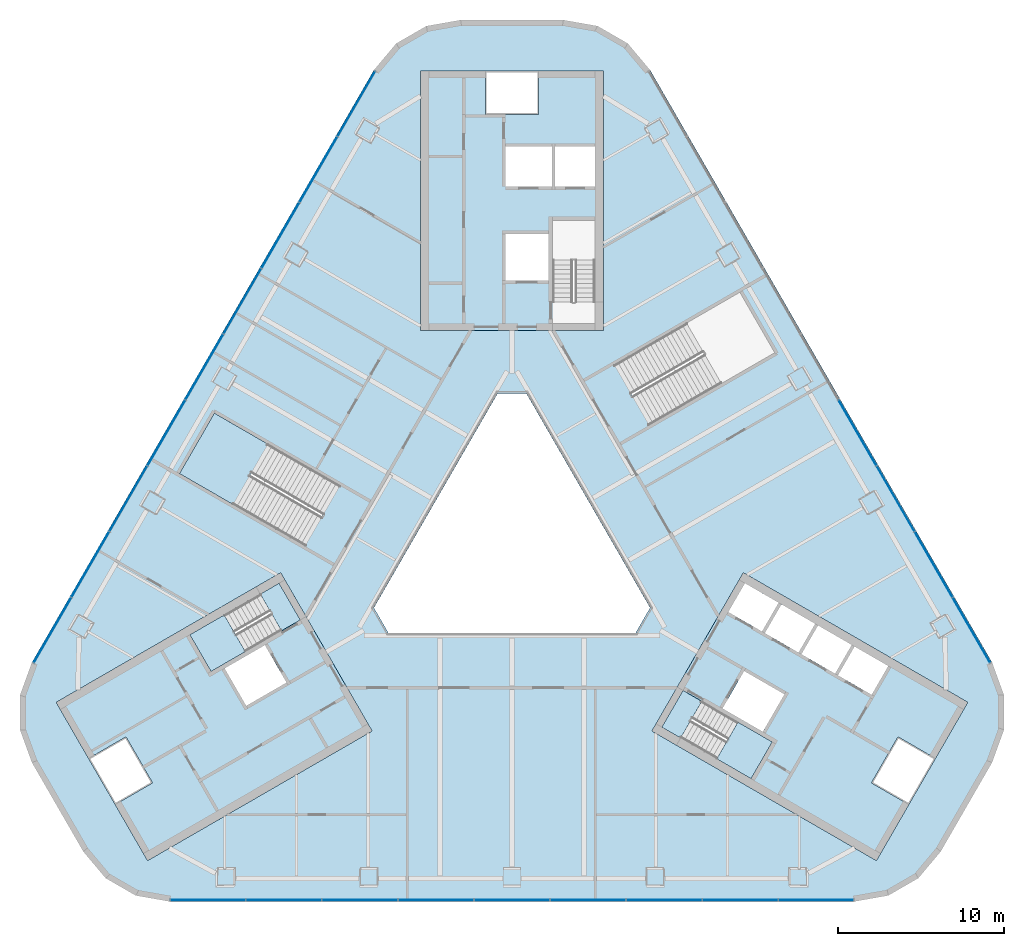
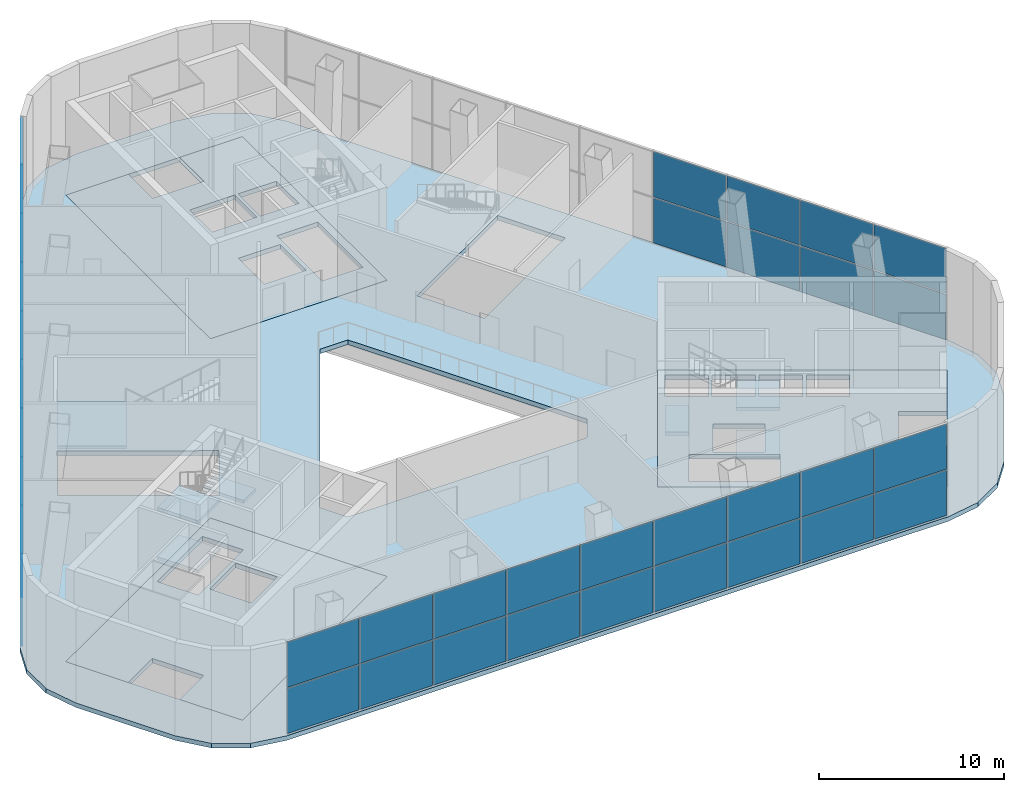
# One storey, part 9 of 17: 44 plates, 11 slabs, 6 elements without a shape of their own.
"""IFC4 building model written with IfcOpenShell, lengths in metres."""

from ifc_helpers import new_model, si_unit, direction, frame, origin, origin_2d, place, context, subcontext, project, spatial, polyline, rectangle, outline, extrude, material, layer, layer_set, type_object, element, aggregate, save


model = new_model("IFC4")

# Units and contexts
model_context = context("Model", 3, precision=1e-05, world=origin(), true_north=direction((0.0, 1.0)))
body_context = subcontext(model_context, "Body", "Model", "MODEL_VIEW")
ifc_project = project(units=[si_unit("LENGTHUNIT", "METRE"), si_unit("AREAUNIT", "SQUARE_METRE"), si_unit("VOLUMEUNIT", "CUBIC_METRE"), si_unit("PLANEANGLEUNIT", "RADIAN"), si_unit("MASSUNIT", "GRAM", prefix="KILO")], contexts=[model_context])

# Site, building, storey
site_placement = place(None, origin())
site = spatial("IfcSite", under=ifc_project, at=site_placement, CompositionType="ELEMENT")
building_placement = place(site_placement, origin())
building = spatial("IfcBuilding", under=site, at=building_placement, Name="Apuvela Tower Hotel", CompositionType="ELEMENT")
storey_placement = place(building_placement, frame((0.0, 0.0, 9.0)))
storey = spatial("IfcBuildingStorey", under=building, at=storey_placement, Name="L01", CompositionType="ELEMENT", Elevation=9.0)

# Slabs
ifc_material_1 = material(Name="Concrete C50/60", Category="concrete")
ifc_layer_1 = layer(ifc_material_1, 0.300048828125)
ifc_layer_set_1 = layer_set([ifc_layer_1], Name="COR-FLOOR-300")
slab_type_1 = type_object("IfcSlabType", Name="COR-FLOOR-300", PredefinedType="FLOOR", material=ifc_layer_set_1)
slab_1_placement = place(storey_placement, frame((0.0, 0.0, -0.300048828125)))
element("IfcSlab", 1, at=slab_1_placement, inside=storey, type_object=slab_type_1, Name="Core floor N", PredefinedType="FLOOR", context=body_context, shape_type="SweptSolid", body=[
    extrude(outline(polyline([(5.5, 28.5), (1.60009765625, 28.5), (1.60009765625, 25.89990234375), (-1.60009765625, 25.89990234375), (-1.60009765625, 28.5), (-5.5, 28.5), (-5.5, 12.89990234375), (5.5, 12.89990234375), (5.5, 28.5)]), holes=[polyline([(5.0, 14.60595703125), (2.449951171875, 14.60595703125), (2.449951171875, 19.5), (5.0, 19.5), (5.0, 14.60595703125)]), polyline([(2.199951171875, 15.89990234375), (-0.39990234375, 15.89990234375), (-0.39990234375, 18.699951171875), (2.199951171875, 18.699951171875), (2.199951171875, 15.89990234375)]), polyline([(5.0, 21.550048828125), (2.60009765625, 21.550048828125), (2.60009765625, 23.949951171875), (5.0, 23.949951171875), (5.0, 21.550048828125)]), polyline([(2.39990234375, 21.550048828125), (-0.39990234375, 21.550048828125), (-0.39990234375, 23.949951171875), (2.39990234375, 23.949951171875), (2.39990234375, 21.550048828125)])]), origin(), (0.0, 0.0, 1.0), 0.300048828125),
])
slab_2_placement = place(storey_placement, frame((0.0, 0.0, -0.300048828125)))
element("IfcSlab", 2, at=slab_2_placement, inside=storey, type_object=slab_type_1, Name="Core floor SW", PredefinedType="FLOOR", context=body_context, shape_type="SweptSolid", body=[
    extrude(outline(polyline([(-27.431640625, -9.48681640625), (-25.481689453125, -12.864501953125), (-23.22998046875, -11.564453125), (-21.630126953125, -14.335693359375), (-23.881591796875, -15.635498046875), (-21.931640625, -19.01318359375), (-8.421630859375, -11.213134765625), (-13.921630859375, -1.68701171875), (-27.431640625, -9.48681640625)]), holes=[polyline([(-13.874267578125, -5.18115234375), (-18.112548828125, -7.628173828125), (-19.387451171875, -5.419921875), (-15.149169921875, -2.972900390625), (-13.874267578125, -5.18115234375)]), polyline([(-13.56982421875, -8.29638671875), (-15.99462890625, -9.6962890625), (-17.294677734375, -7.444580078125), (-14.869873046875, -6.044677734375), (-13.56982421875, -8.29638671875)])]), origin(), (0.0, 0.0, 1.0), 0.300048828125),
])
slab_3_placement = place(storey_placement, frame((0.0, 0.0, -0.300048828125)))
element("IfcSlab", 3, at=slab_3_placement, inside=storey, type_object=slab_type_1, Name="Core floor SE", PredefinedType="FLOOR", context=body_context, shape_type="SweptSolid", body=[
    extrude(outline(polyline([(21.931640625, -19.01318359375), (23.881591796875, -15.635498046875), (21.630126953125, -14.335693359375), (23.22998046875, -11.564453125), (25.481689453125, -12.864501953125), (27.431640625, -9.48681640625), (13.921630859375, -1.68701171875), (8.421630859375, -11.213134765625), (21.931640625, -19.01318359375)]), holes=[polyline([(13.01806640625, -4.052001953125), (14.01806640625, -2.31982421875), (16.044677734375, -3.489990234375), (15.044677734375, -5.221923828125), (13.01806640625, -4.052001953125)]), polyline([(17.244384765625, -6.491943359375), (15.2177734375, -5.322021484375), (16.2177734375, -3.58984375), (18.244384765625, -4.760009765625), (17.244384765625, -6.491943359375)]), polyline([(14.387451171875, -14.080078125), (10.149169921875, -11.633056640625), (11.42431640625, -9.4248046875), (15.66259765625, -11.871826171875), (14.387451171875, -14.080078125)]), polyline([(12.669921875, -9.855224609375), (13.9697265625, -7.603515625), (16.394775390625, -9.003662109375), (15.0947265625, -11.25537109375), (12.669921875, -9.855224609375)]), polyline([(19.444091796875, -7.761962890625), (17.41748046875, -6.591796875), (18.41748046875, -4.85986328125), (20.444091796875, -6.02978515625), (19.444091796875, -7.761962890625)]), polyline([(21.643798828125, -9.031982421875), (19.6171875, -7.86181640625), (20.6171875, -6.1298828125), (22.643798828125, -7.2998046875), (21.643798828125, -9.031982421875)])]), origin(), (0.0, 0.0, 1.0), 0.300048828125),
])

# Stair, slabs
stair_type_1 = type_object("IfcStairType", Name="COR-STAIR-40R", PredefinedType="HALF_TURN_STAIR", material=ifc_material_1)
stair_1_placement = place(storey_placement, origin())
stair_1 = element("IfcStair", 4, at=stair_1_placement, inside=storey, type_object=stair_type_1, Name="L01 Exit stair ST2", PredefinedType="HALF_TURN_STAIR")
ifc_layer_2 = layer(ifc_material_1, 0.199951171875)
ifc_layer_set_2 = layer_set([ifc_layer_2], Name="COR-LANDING-200")
slab_type_2 = type_object("IfcSlabType", Name="COR-LANDING-200", PredefinedType="LANDING", material=ifc_layer_set_2)
slab_4_placement = place(storey_placement, frame((0.0, 0.0, 1.425048828125)))
slab_4 = element("IfcSlab", 5, at=slab_4_placement, type_object=slab_type_2, Name="ST2 landing 1", PredefinedType="LANDING", context=body_context, shape_type="SweptSolid", body=[
    extrude(outline(polyline([(-17.321044921875, -4.226806640625), (-19.387451171875, -5.419921875), (-18.112548828125, -7.628173828125), (-16.046142578125, -6.435302734375), (-17.321044921875, -4.226806640625)])), origin(), (0.0, 0.0, 1.0), 0.199951171875),
])
slab_5_placement = place(storey_placement, frame((0.0, 0.0, 3.050048828125)))
slab_5 = element("IfcSlab", 6, at=slab_5_placement, type_object=slab_type_2, Name="ST2 landing 2", PredefinedType="LANDING", context=body_context, shape_type="SweptSolid", body=[
    extrude(outline(polyline([(-14.01806640625, -2.31982421875), (-15.149169921875, -2.972900390625), (-13.874267578125, -5.18115234375), (-12.7431640625, -4.5283203125), (-14.01806640625, -2.31982421875)])), origin(), (0.0, 0.0, 1.0), 0.199951171875),
])
slab_6_placement = place(storey_placement, frame((0.0, 0.0, 4.675048828125)))
slab_6 = element("IfcSlab", 7, at=slab_6_placement, type_object=slab_type_2, Name="ST2 landing 3", PredefinedType="LANDING", context=body_context, shape_type="SweptSolid", body=[
    extrude(outline(polyline([(-17.321044921875, -4.226806640625), (-19.387451171875, -5.419921875), (-18.112548828125, -7.628173828125), (-16.046142578125, -6.435302734375), (-17.321044921875, -4.226806640625)])), origin(), (0.0, 0.0, 1.0), 0.199951171875),
])
aggregate(stair_1, [slab_4, slab_5, slab_6])

stair_2_placement = place(storey_placement, origin())
stair_2 = element("IfcStair", 8, at=stair_2_placement, inside=storey, type_object=stair_type_1, Name="L01 Exit stair ST3", PredefinedType="HALF_TURN_STAIR")
slab_7_placement = place(storey_placement, frame((0.0, 0.0, 1.425048828125)))
slab_7 = element("IfcSlab", 9, at=slab_7_placement, type_object=slab_type_2, Name="ST3 landing 1", PredefinedType="LANDING", context=body_context, shape_type="SweptSolid", body=[
    extrude(outline(polyline([(12.321044921875, -12.88720703125), (14.387451171875, -14.080078125), (15.66259765625, -11.871826171875), (13.59619140625, -10.6787109375), (12.321044921875, -12.88720703125)])), origin(), (0.0, 0.0, 1.0), 0.199951171875),
])
slab_8_placement = place(storey_placement, frame((0.0, 0.0, 3.050048828125)))
slab_8 = element("IfcSlab", 10, at=slab_8_placement, type_object=slab_type_2, Name="ST3 landing 2", PredefinedType="LANDING", context=body_context, shape_type="SweptSolid", body=[
    extrude(outline(polyline([(9.01806640625, -10.980224609375), (10.149169921875, -11.633056640625), (11.424072265625, -9.4248046875), (10.293212890625, -8.771728515625), (9.01806640625, -10.980224609375)])), origin(), (0.0, 0.0, 1.0), 0.199951171875),
])
slab_9_placement = place(storey_placement, frame((0.0, 0.0, 4.675048828125)))
slab_9 = element("IfcSlab", 11, at=slab_9_placement, type_object=slab_type_2, Name="ST3 landing 3", PredefinedType="LANDING", context=body_context, shape_type="SweptSolid", body=[
    extrude(outline(polyline([(12.321044921875, -12.88720703125), (14.387451171875, -14.080078125), (15.66259765625, -11.871826171875), (13.59619140625, -10.6787109375), (12.321044921875, -12.88720703125)])), origin(), (0.0, 0.0, 1.0), 0.199951171875),
])
aggregate(stair_2, [slab_7, slab_8, slab_9])

# Curtain wall, plates
ifc_material_2 = material(Name="Aluminium 6063-T6, dark bronze anodised", Category="aluminium")
ifc_layer_3 = layer(ifc_material_2, 0.199951171875)
ifc_layer_set_3 = layer_set([ifc_layer_3], Name="ENV-CW-P")
curtain_wall_type = type_object("IfcCurtainWallType", Name="ENV-CW-P", PredefinedType="NOTDEFINED", material=ifc_layer_set_3)
curtain_wall_1_placement = place(storey_placement, origin())
curtain_wall_1 = element("IfcCurtainWall", 12, at=curtain_wall_1_placement, inside=storey, type_object=curtain_wall_type, Name="Curtain wall CW-P S L01", PredefinedType="NOTDEFINED")
ifc_material_3 = material(Name="Glass, dark tinted laminated insulated glazing unit", Category="glass")
ifc_layer_4 = layer(ifc_material_3, 0.0400390625)
ifc_layer_set_4 = layer_set([ifc_layer_4], Name="ENV-PANEL-IGU-40")
plate_type = type_object("IfcPlateType", Name="ENV-PANEL-IGU-40", PredefinedType="CURTAIN_PANEL", material=ifc_layer_set_4)
plate_1_placement = place(storey_placement, frame((-18.28369140625, -21.37841796875, 0.06494140625), z_axis=(0.0, 0.0, 1.0), x_axis=(1.0, 0.0, 0.0)))
plate_1 = element("IfcPlate", 13, at=plate_1_placement, type_object=plate_type, Name="CW-P panel 1.1", PredefinedType="CURTAIN_PANEL", context=body_context, shape_type="SweptSolid", body=[
    extrude(rectangle(XDim=4.4775390625, YDim=0.0400390625, at=origin_2d()), origin(), (0.0, 0.0, 1.0), 2.9775390625),
])
plate_2_placement = place(storey_placement, frame((-18.28369140625, -21.37841796875, 3.107421875), z_axis=(0.0, 0.0, 1.0), x_axis=(1.0, 0.0, 0.0)))
plate_2 = element("IfcPlate", 14, at=plate_2_placement, type_object=plate_type, Name="CW-P panel 1.2", PredefinedType="CURTAIN_PANEL", context=body_context, shape_type="SweptSolid", body=[
    extrude(rectangle(XDim=4.4775390625, YDim=0.0400390625, at=origin_2d()), origin(), (0.0, 0.0, 1.0), 2.9775390625),
])
plate_3_placement = place(storey_placement, frame((-13.72509765625, -21.37841796875, 0.06494140625), z_axis=(0.0, 0.0, 1.0), x_axis=(1.0, 0.0, 0.0)))
plate_3 = element("IfcPlate", 15, at=plate_3_placement, type_object=plate_type, Name="CW-P panel 2.1", PredefinedType="CURTAIN_PANEL", context=body_context, shape_type="SweptSolid", body=[
    extrude(rectangle(XDim=4.510009765625, YDim=0.0400390625, at=origin_2d()), origin(), (0.0, 0.0, 1.0), 2.9775390625),
])
plate_4_placement = place(storey_placement, frame((-13.72509765625, -21.37841796875, 3.107421875), z_axis=(0.0, 0.0, 1.0), x_axis=(1.0, 0.0, 0.0)))
plate_4 = element("IfcPlate", 16, at=plate_4_placement, type_object=plate_type, Name="CW-P panel 2.2", PredefinedType="CURTAIN_PANEL", context=body_context, shape_type="SweptSolid", body=[
    extrude(rectangle(XDim=4.510009765625, YDim=0.0400390625, at=origin_2d()), origin(), (0.0, 0.0, 1.0), 2.9775390625),
])
plate_5_placement = place(storey_placement, frame((-9.14990234375, -21.37841796875, 0.06494140625), z_axis=(0.0, 0.0, 1.0), x_axis=(1.0, 0.0, 0.0)))
plate_5 = element("IfcPlate", 17, at=plate_5_placement, type_object=plate_type, Name="CW-P panel 3.1", PredefinedType="CURTAIN_PANEL", context=body_context, shape_type="SweptSolid", body=[
    extrude(rectangle(XDim=4.510009765625, YDim=0.0400390625, at=origin_2d()), origin(), (0.0, 0.0, 1.0), 2.9775390625),
])
plate_6_placement = place(storey_placement, frame((-9.14990234375, -21.37841796875, 3.107421875), z_axis=(0.0, 0.0, 1.0), x_axis=(1.0, 0.0, 0.0)))
plate_6 = element("IfcPlate", 18, at=plate_6_placement, type_object=plate_type, Name="CW-P panel 3.2", PredefinedType="CURTAIN_PANEL", context=body_context, shape_type="SweptSolid", body=[
    extrude(rectangle(XDim=4.510009765625, YDim=0.0400390625, at=origin_2d()), origin(), (0.0, 0.0, 1.0), 2.9775390625),
])
plate_7_placement = place(storey_placement, frame((-4.574951171875, -21.37841796875, 0.06494140625), z_axis=(0.0, 0.0, 1.0), x_axis=(1.0, 0.0, 0.0)))
plate_7 = element("IfcPlate", 19, at=plate_7_placement, type_object=plate_type, Name="CW-P panel 4.1", PredefinedType="CURTAIN_PANEL", context=body_context, shape_type="SweptSolid", body=[
    extrude(rectangle(XDim=4.510009765625, YDim=0.0400390625, at=origin_2d()), origin(), (0.0, 0.0, 1.0), 2.9775390625),
])
plate_8_placement = place(storey_placement, frame((-4.574951171875, -21.37841796875, 3.107421875), z_axis=(0.0, 0.0, 1.0), x_axis=(1.0, 0.0, 0.0)))
plate_8 = element("IfcPlate", 20, at=plate_8_placement, type_object=plate_type, Name="CW-P panel 4.2", PredefinedType="CURTAIN_PANEL", context=body_context, shape_type="SweptSolid", body=[
    extrude(rectangle(XDim=4.510009765625, YDim=0.0400390625, at=origin_2d()), origin(), (0.0, 0.0, 1.0), 2.9775390625),
])
plate_9_placement = place(storey_placement, frame((0.0, -21.37841796875, 0.06494140625), z_axis=(0.0, 0.0, 1.0), x_axis=(1.0, 0.0, 0.0)))
plate_9 = element("IfcPlate", 21, at=plate_9_placement, type_object=plate_type, Name="CW-P panel 5.1", PredefinedType="CURTAIN_PANEL", context=body_context, shape_type="SweptSolid", body=[
    extrude(rectangle(XDim=4.510009765625, YDim=0.0400390625, at=origin_2d()), origin(), (0.0, 0.0, 1.0), 2.9775390625),
])
plate_10_placement = place(storey_placement, frame((0.0, -21.37841796875, 3.107421875), z_axis=(0.0, 0.0, 1.0), x_axis=(1.0, 0.0, 0.0)))
plate_10 = element("IfcPlate", 22, at=plate_10_placement, type_object=plate_type, Name="CW-P panel 5.2", PredefinedType="CURTAIN_PANEL", context=body_context, shape_type="SweptSolid", body=[
    extrude(rectangle(XDim=4.510009765625, YDim=0.0400390625, at=origin_2d()), origin(), (0.0, 0.0, 1.0), 2.9775390625),
])
plate_11_placement = place(storey_placement, frame((4.574951171875, -21.37841796875, 0.06494140625), z_axis=(0.0, 0.0, 1.0), x_axis=(1.0, 0.0, 0.0)))
plate_11 = element("IfcPlate", 23, at=plate_11_placement, type_object=plate_type, Name="CW-P panel 6.1", PredefinedType="CURTAIN_PANEL", context=body_context, shape_type="SweptSolid", body=[
    extrude(rectangle(XDim=4.510009765625, YDim=0.0400390625, at=origin_2d()), origin(), (0.0, 0.0, 1.0), 2.9775390625),
])
plate_12_placement = place(storey_placement, frame((4.574951171875, -21.37841796875, 3.107421875), z_axis=(0.0, 0.0, 1.0), x_axis=(1.0, 0.0, 0.0)))
plate_12 = element("IfcPlate", 24, at=plate_12_placement, type_object=plate_type, Name="CW-P panel 6.2", PredefinedType="CURTAIN_PANEL", context=body_context, shape_type="SweptSolid", body=[
    extrude(rectangle(XDim=4.510009765625, YDim=0.0400390625, at=origin_2d()), origin(), (0.0, 0.0, 1.0), 2.9775390625),
])
plate_13_placement = place(storey_placement, frame((9.14990234375, -21.37841796875, 0.06494140625), z_axis=(0.0, 0.0, 1.0), x_axis=(1.0, 0.0, 0.0)))
plate_13 = element("IfcPlate", 25, at=plate_13_placement, type_object=plate_type, Name="CW-P panel 7.1", PredefinedType="CURTAIN_PANEL", context=body_context, shape_type="SweptSolid", body=[
    extrude(rectangle(XDim=4.510009765625, YDim=0.0400390625, at=origin_2d()), origin(), (0.0, 0.0, 1.0), 2.9775390625),
])
plate_14_placement = place(storey_placement, frame((9.14990234375, -21.37841796875, 3.107421875), z_axis=(0.0, 0.0, 1.0), x_axis=(1.0, 0.0, 0.0)))
plate_14 = element("IfcPlate", 26, at=plate_14_placement, type_object=plate_type, Name="CW-P panel 7.2", PredefinedType="CURTAIN_PANEL", context=body_context, shape_type="SweptSolid", body=[
    extrude(rectangle(XDim=4.510009765625, YDim=0.0400390625, at=origin_2d()), origin(), (0.0, 0.0, 1.0), 2.9775390625),
])
plate_15_placement = place(storey_placement, frame((13.72509765625, -21.37841796875, 0.06494140625), z_axis=(0.0, 0.0, 1.0), x_axis=(1.0, 0.0, 0.0)))
plate_15 = element("IfcPlate", 27, at=plate_15_placement, type_object=plate_type, Name="CW-P panel 8.1", PredefinedType="CURTAIN_PANEL", context=body_context, shape_type="SweptSolid", body=[
    extrude(rectangle(XDim=4.510009765625, YDim=0.0400390625, at=origin_2d()), origin(), (0.0, 0.0, 1.0), 2.9775390625),
])
plate_16_placement = place(storey_placement, frame((13.72509765625, -21.37841796875, 3.107421875), z_axis=(0.0, 0.0, 1.0), x_axis=(1.0, 0.0, 0.0)))
plate_16 = element("IfcPlate", 28, at=plate_16_placement, type_object=plate_type, Name="CW-P panel 8.2", PredefinedType="CURTAIN_PANEL", context=body_context, shape_type="SweptSolid", body=[
    extrude(rectangle(XDim=4.510009765625, YDim=0.0400390625, at=origin_2d()), origin(), (0.0, 0.0, 1.0), 2.9775390625),
])
plate_17_placement = place(storey_placement, frame((18.28369140625, -21.37841796875, 0.06494140625), z_axis=(0.0, 0.0, 1.0), x_axis=(1.0, 0.0, 0.0)))
plate_17 = element("IfcPlate", 29, at=plate_17_placement, type_object=plate_type, Name="CW-P panel 9.1", PredefinedType="CURTAIN_PANEL", context=body_context, shape_type="SweptSolid", body=[
    extrude(rectangle(XDim=4.4775390625, YDim=0.0400390625, at=origin_2d()), origin(), (0.0, 0.0, 1.0), 2.9775390625),
])
plate_18_placement = place(storey_placement, frame((18.28369140625, -21.37841796875, 3.107421875), z_axis=(0.0, 0.0, 1.0), x_axis=(1.0, 0.0, 0.0)))
plate_18 = element("IfcPlate", 30, at=plate_18_placement, type_object=plate_type, Name="CW-P panel 9.2", PredefinedType="CURTAIN_PANEL", context=body_context, shape_type="SweptSolid", body=[
    extrude(rectangle(XDim=4.4775390625, YDim=0.0400390625, at=origin_2d()), origin(), (0.0, 0.0, 1.0), 2.9775390625),
])
aggregate(curtain_wall_1, [plate_1, plate_2, plate_3, plate_4, plate_5, plate_6, plate_7, plate_8, plate_9, plate_10, plate_11, plate_12, plate_13, plate_14, plate_15, plate_16, plate_17, plate_18])

curtain_wall_2_placement = place(storey_placement, origin())
curtain_wall_2 = element("IfcCurtainWall", 31, at=curtain_wall_2_placement, inside=storey, type_object=curtain_wall_type, Name="Curtain wall CW-P NE L01", PredefinedType="NOTDEFINED")
plate_19_placement = place(storey_placement, frame((27.656005859375, -5.14501953125, 0.06494140625), z_axis=(0.0, 0.0, 1.0), x_axis=(-0.49999995795, 0.866025428062, 0.0)))
plate_19 = element("IfcPlate", 32, at=plate_19_placement, type_object=plate_type, Name="CW-P panel 1.1", PredefinedType="CURTAIN_PANEL", context=body_context, shape_type="SweptSolid", body=[
    extrude(rectangle(XDim=4.4775390625, YDim=0.0400390625, at=origin_2d()), origin(), (0.0, 0.0, 1.0), 2.9775390625),
])
plate_20_placement = place(storey_placement, frame((27.656005859375, -5.14501953125, 3.107421875), z_axis=(0.0, 0.0, 1.0), x_axis=(-0.49999995795, 0.866025428062, 0.0)))
plate_20 = element("IfcPlate", 33, at=plate_20_placement, type_object=plate_type, Name="CW-P panel 1.2", PredefinedType="CURTAIN_PANEL", context=body_context, shape_type="SweptSolid", body=[
    extrude(rectangle(XDim=4.4775390625, YDim=0.0400390625, at=origin_2d()), origin(), (0.0, 0.0, 1.0), 2.9775390625),
])
plate_21_placement = place(storey_placement, frame((25.376708984375, -1.197021484375, 0.06494140625), z_axis=(0.0, 0.0, 1.0), x_axis=(-0.49999995795, 0.866025428062, 0.0)))
plate_21 = element("IfcPlate", 34, at=plate_21_placement, type_object=plate_type, Name="CW-P panel 2.1", PredefinedType="CURTAIN_PANEL", context=body_context, shape_type="SweptSolid", body=[
    extrude(rectangle(XDim=4.510009765625, YDim=0.0400390625, at=origin_2d()), origin(), (0.0, 0.0, 1.0), 2.9775390625),
])
plate_22_placement = place(storey_placement, frame((25.376708984375, -1.197021484375, 3.107421875), z_axis=(0.0, 0.0, 1.0), x_axis=(-0.49999995795, 0.866025428062, 0.0)))
plate_22 = element("IfcPlate", 35, at=plate_22_placement, type_object=plate_type, Name="CW-P panel 2.2", PredefinedType="CURTAIN_PANEL", context=body_context, shape_type="SweptSolid", body=[
    extrude(rectangle(XDim=4.510009765625, YDim=0.0400390625, at=origin_2d()), origin(), (0.0, 0.0, 1.0), 2.9775390625),
])
plate_23_placement = place(storey_placement, frame((23.089111328125, 2.76513671875, 0.06494140625), z_axis=(0.0, 0.0, 1.0), x_axis=(-0.49999995795, 0.866025428062, 0.0)))
plate_23 = element("IfcPlate", 36, at=plate_23_placement, type_object=plate_type, Name="CW-P panel 3.1", PredefinedType="CURTAIN_PANEL", context=body_context, shape_type="SweptSolid", body=[
    extrude(rectangle(XDim=4.510009765625, YDim=0.0400390625, at=origin_2d()), origin(), (0.0, 0.0, 1.0), 2.9775390625),
])
plate_24_placement = place(storey_placement, frame((23.089111328125, 2.76513671875, 3.107421875), z_axis=(0.0, 0.0, 1.0), x_axis=(-0.49999995795, 0.866025428062, 0.0)))
plate_24 = element("IfcPlate", 37, at=plate_24_placement, type_object=plate_type, Name="CW-P panel 3.2", PredefinedType="CURTAIN_PANEL", context=body_context, shape_type="SweptSolid", body=[
    extrude(rectangle(XDim=4.510009765625, YDim=0.0400390625, at=origin_2d()), origin(), (0.0, 0.0, 1.0), 2.9775390625),
])
plate_25_placement = place(storey_placement, frame((20.8017578125, 6.72705078125, 0.06494140625), z_axis=(0.0, 0.0, 1.0), x_axis=(-0.49999995795, 0.866025428062, 0.0)))
plate_25 = element("IfcPlate", 38, at=plate_25_placement, type_object=plate_type, Name="CW-P panel 4.1", PredefinedType="CURTAIN_PANEL", context=body_context, shape_type="SweptSolid", body=[
    extrude(rectangle(XDim=4.510009765625, YDim=0.0400390625, at=origin_2d()), origin(), (0.0, 0.0, 1.0), 2.9775390625),
])
plate_26_placement = place(storey_placement, frame((20.8017578125, 6.72705078125, 3.107421875), z_axis=(0.0, 0.0, 1.0), x_axis=(-0.49999995795, 0.866025428062, 0.0)))
plate_26 = element("IfcPlate", 39, at=plate_26_placement, type_object=plate_type, Name="CW-P panel 4.2", PredefinedType="CURTAIN_PANEL", context=body_context, shape_type="SweptSolid", body=[
    extrude(rectangle(XDim=4.510009765625, YDim=0.0400390625, at=origin_2d()), origin(), (0.0, 0.0, 1.0), 2.9775390625),
])
aggregate(curtain_wall_2, [plate_19, plate_20, plate_21, plate_22, plate_23, plate_24, plate_25, plate_26])

curtain_wall_3_placement = place(storey_placement, origin())
curtain_wall_3 = element("IfcCurtainWall", 40, at=curtain_wall_3_placement, inside=storey, type_object=curtain_wall_type, Name="Curtain wall CW-P NW L01", PredefinedType="NOTDEFINED")
plate_27_placement = place(storey_placement, frame((-9.372314453125, 26.5234375, 0.06494140625), z_axis=(0.0, 0.0, 1.0), x_axis=(-0.49999995795, -0.866025428062, 0.0)))
plate_27 = element("IfcPlate", 41, at=plate_27_placement, type_object=plate_type, Name="CW-P panel 1.1", PredefinedType="CURTAIN_PANEL", context=body_context, shape_type="SweptSolid", body=[
    extrude(rectangle(XDim=4.4775390625, YDim=0.0400390625, at=origin_2d()), origin(), (0.0, 0.0, 1.0), 2.9775390625),
])
plate_28_placement = place(storey_placement, frame((-9.372314453125, 26.5234375, 3.107421875), z_axis=(0.0, 0.0, 1.0), x_axis=(-0.49999995795, -0.866025428062, 0.0)))
plate_28 = element("IfcPlate", 42, at=plate_28_placement, type_object=plate_type, Name="CW-P panel 1.2", PredefinedType="CURTAIN_PANEL", context=body_context, shape_type="SweptSolid", body=[
    extrude(rectangle(XDim=4.4775390625, YDim=0.0400390625, at=origin_2d()), origin(), (0.0, 0.0, 1.0), 2.9775390625),
])
plate_29_placement = place(storey_placement, frame((-11.651611328125, 22.575439453125, 0.06494140625), z_axis=(0.0, 0.0, 1.0), x_axis=(-0.49999995795, -0.866025428062, 0.0)))
plate_29 = element("IfcPlate", 43, at=plate_29_placement, type_object=plate_type, Name="CW-P panel 2.1", PredefinedType="CURTAIN_PANEL", context=body_context, shape_type="SweptSolid", body=[
    extrude(rectangle(XDim=4.510009765625, YDim=0.0400390625, at=origin_2d()), origin(), (0.0, 0.0, 1.0), 2.9775390625),
])
plate_30_placement = place(storey_placement, frame((-11.651611328125, 22.575439453125, 3.107421875), z_axis=(0.0, 0.0, 1.0), x_axis=(-0.49999995795, -0.866025428062, 0.0)))
plate_30 = element("IfcPlate", 44, at=plate_30_placement, type_object=plate_type, Name="CW-P panel 2.2", PredefinedType="CURTAIN_PANEL", context=body_context, shape_type="SweptSolid", body=[
    extrude(rectangle(XDim=4.510009765625, YDim=0.0400390625, at=origin_2d()), origin(), (0.0, 0.0, 1.0), 2.9775390625),
])
plate_31_placement = place(storey_placement, frame((-13.939208984375, 18.61328125, 0.06494140625), z_axis=(0.0, 0.0, 1.0), x_axis=(-0.49999995795, -0.866025428062, 0.0)))
plate_31 = element("IfcPlate", 45, at=plate_31_placement, type_object=plate_type, Name="CW-P panel 3.1", PredefinedType="CURTAIN_PANEL", context=body_context, shape_type="SweptSolid", body=[
    extrude(rectangle(XDim=4.510009765625, YDim=0.0400390625, at=origin_2d()), origin(), (0.0, 0.0, 1.0), 2.9775390625),
])
plate_32_placement = place(storey_placement, frame((-13.939208984375, 18.61328125, 3.107421875), z_axis=(0.0, 0.0, 1.0), x_axis=(-0.49999995795, -0.866025428062, 0.0)))
plate_32 = element("IfcPlate", 46, at=plate_32_placement, type_object=plate_type, Name="CW-P panel 3.2", PredefinedType="CURTAIN_PANEL", context=body_context, shape_type="SweptSolid", body=[
    extrude(rectangle(XDim=4.510009765625, YDim=0.0400390625, at=origin_2d()), origin(), (0.0, 0.0, 1.0), 2.9775390625),
])
plate_33_placement = place(storey_placement, frame((-16.2265625, 14.6513671875, 0.06494140625), z_axis=(0.0, 0.0, 1.0), x_axis=(-0.49999995795, -0.866025428062, 0.0)))
plate_33 = element("IfcPlate", 47, at=plate_33_placement, type_object=plate_type, Name="CW-P panel 4.1", PredefinedType="CURTAIN_PANEL", context=body_context, shape_type="SweptSolid", body=[
    extrude(rectangle(XDim=4.510009765625, YDim=0.0400390625, at=origin_2d()), origin(), (0.0, 0.0, 1.0), 2.9775390625),
])
plate_34_placement = place(storey_placement, frame((-16.2265625, 14.6513671875, 3.107421875), z_axis=(0.0, 0.0, 1.0), x_axis=(-0.49999995795, -0.866025428062, 0.0)))
plate_34 = element("IfcPlate", 48, at=plate_34_placement, type_object=plate_type, Name="CW-P panel 4.2", PredefinedType="CURTAIN_PANEL", context=body_context, shape_type="SweptSolid", body=[
    extrude(rectangle(XDim=4.510009765625, YDim=0.0400390625, at=origin_2d()), origin(), (0.0, 0.0, 1.0), 2.9775390625),
])
plate_35_placement = place(storey_placement, frame((-18.51416015625, 10.689208984375, 0.06494140625), z_axis=(0.0, 0.0, 1.0), x_axis=(-0.49999995795, -0.866025428062, 0.0)))
plate_35 = element("IfcPlate", 49, at=plate_35_placement, type_object=plate_type, Name="CW-P panel 5.1", PredefinedType="CURTAIN_PANEL", context=body_context, shape_type="SweptSolid", body=[
    extrude(rectangle(XDim=4.510009765625, YDim=0.0400390625, at=origin_2d()), origin(), (0.0, 0.0, 1.0), 2.9775390625),
])
plate_36_placement = place(storey_placement, frame((-18.51416015625, 10.689208984375, 3.107421875), z_axis=(0.0, 0.0, 1.0), x_axis=(-0.49999995795, -0.866025428062, 0.0)))
plate_36 = element("IfcPlate", 50, at=plate_36_placement, type_object=plate_type, Name="CW-P panel 5.2", PredefinedType="CURTAIN_PANEL", context=body_context, shape_type="SweptSolid", body=[
    extrude(rectangle(XDim=4.510009765625, YDim=0.0400390625, at=origin_2d()), origin(), (0.0, 0.0, 1.0), 2.9775390625),
])
plate_37_placement = place(storey_placement, frame((-20.8017578125, 6.72705078125, 0.06494140625), z_axis=(0.0, 0.0, 1.0), x_axis=(-0.49999995795, -0.866025428062, 0.0)))
plate_37 = element("IfcPlate", 51, at=plate_37_placement, type_object=plate_type, Name="CW-P panel 6.1", PredefinedType="CURTAIN_PANEL", context=body_context, shape_type="SweptSolid", body=[
    extrude(rectangle(XDim=4.510009765625, YDim=0.0400390625, at=origin_2d()), origin(), (0.0, 0.0, 1.0), 2.9775390625),
])
plate_38_placement = place(storey_placement, frame((-20.8017578125, 6.72705078125, 3.107421875), z_axis=(0.0, 0.0, 1.0), x_axis=(-0.49999995795, -0.866025428062, 0.0)))
plate_38 = element("IfcPlate", 52, at=plate_38_placement, type_object=plate_type, Name="CW-P panel 6.2", PredefinedType="CURTAIN_PANEL", context=body_context, shape_type="SweptSolid", body=[
    extrude(rectangle(XDim=4.510009765625, YDim=0.0400390625, at=origin_2d()), origin(), (0.0, 0.0, 1.0), 2.9775390625),
])
plate_39_placement = place(storey_placement, frame((-23.089111328125, 2.76513671875, 0.06494140625), z_axis=(0.0, 0.0, 1.0), x_axis=(-0.49999995795, -0.866025428062, 0.0)))
plate_39 = element("IfcPlate", 53, at=plate_39_placement, type_object=plate_type, Name="CW-P panel 7.1", PredefinedType="CURTAIN_PANEL", context=body_context, shape_type="SweptSolid", body=[
    extrude(rectangle(XDim=4.510009765625, YDim=0.0400390625, at=origin_2d()), origin(), (0.0, 0.0, 1.0), 2.9775390625),
])
plate_40_placement = place(storey_placement, frame((-23.089111328125, 2.76513671875, 3.107421875), z_axis=(0.0, 0.0, 1.0), x_axis=(-0.49999995795, -0.866025428062, 0.0)))
plate_40 = element("IfcPlate", 54, at=plate_40_placement, type_object=plate_type, Name="CW-P panel 7.2", PredefinedType="CURTAIN_PANEL", context=body_context, shape_type="SweptSolid", body=[
    extrude(rectangle(XDim=4.510009765625, YDim=0.0400390625, at=origin_2d()), origin(), (0.0, 0.0, 1.0), 2.9775390625),
])
plate_41_placement = place(storey_placement, frame((-25.376708984375, -1.197021484375, 0.06494140625), z_axis=(0.0, 0.0, 1.0), x_axis=(-0.49999995795, -0.866025428062, 0.0)))
plate_41 = element("IfcPlate", 55, at=plate_41_placement, type_object=plate_type, Name="CW-P panel 8.1", PredefinedType="CURTAIN_PANEL", context=body_context, shape_type="SweptSolid", body=[
    extrude(rectangle(XDim=4.510009765625, YDim=0.0400390625, at=origin_2d()), origin(), (0.0, 0.0, 1.0), 2.9775390625),
])
plate_42_placement = place(storey_placement, frame((-25.376708984375, -1.197021484375, 3.107421875), z_axis=(0.0, 0.0, 1.0), x_axis=(-0.49999995795, -0.866025428062, 0.0)))
plate_42 = element("IfcPlate", 56, at=plate_42_placement, type_object=plate_type, Name="CW-P panel 8.2", PredefinedType="CURTAIN_PANEL", context=body_context, shape_type="SweptSolid", body=[
    extrude(rectangle(XDim=4.510009765625, YDim=0.0400390625, at=origin_2d()), origin(), (0.0, 0.0, 1.0), 2.9775390625),
])
plate_43_placement = place(storey_placement, frame((-27.656005859375, -5.14501953125, 0.06494140625), z_axis=(0.0, 0.0, 1.0), x_axis=(-0.49999995795, -0.866025428062, 0.0)))
plate_43 = element("IfcPlate", 57, at=plate_43_placement, type_object=plate_type, Name="CW-P panel 9.1", PredefinedType="CURTAIN_PANEL", context=body_context, shape_type="SweptSolid", body=[
    extrude(rectangle(XDim=4.4775390625, YDim=0.0400390625, at=origin_2d()), origin(), (0.0, 0.0, 1.0), 2.9775390625),
])
plate_44_placement = place(storey_placement, frame((-27.656005859375, -5.14501953125, 3.107421875), z_axis=(0.0, 0.0, 1.0), x_axis=(-0.49999995795, -0.866025428062, 0.0)))
plate_44 = element("IfcPlate", 58, at=plate_44_placement, type_object=plate_type, Name="CW-P panel 9.2", PredefinedType="CURTAIN_PANEL", context=body_context, shape_type="SweptSolid", body=[
    extrude(rectangle(XDim=4.4775390625, YDim=0.0400390625, at=origin_2d()), origin(), (0.0, 0.0, 1.0), 2.9775390625),
])
aggregate(curtain_wall_3, [plate_27, plate_28, plate_29, plate_30, plate_31, plate_32, plate_33, plate_34, plate_35, plate_36, plate_37, plate_38, plate_39, plate_40, plate_41, plate_42, plate_43, plate_44])

# Stair, slab
ifc_material_4 = material(Name="Concrete C40/50", Category="concrete")
stair_type_2 = type_object("IfcStairType", Name="SPC-STAIR-PS", PredefinedType="HALF_TURN_STAIR", material=ifc_material_4)
stair_3_placement = place(storey_placement, origin())
stair_3 = element("IfcStair", 59, at=stair_3_placement, inside=storey, type_object=stair_type_2, Name="L01 Protected exit stair PS2", PredefinedType="HALF_TURN_STAIR")
ifc_layer_5 = layer(ifc_material_4, 0.199951171875)
ifc_layer_set_5 = layer_set([ifc_layer_5], Name="SPC-LANDING-PS")
slab_type_3 = type_object("IfcSlabType", Name="SPC-LANDING-PS", PredefinedType="LANDING", material=ifc_layer_set_5)
slab_10_placement = place(storey_placement, frame((0.0, 0.0, 3.050048828125)))
slab_10 = element("IfcSlab", 60, at=slab_10_placement, type_object=slab_type_3, Name="PS2 landing 1", PredefinedType="LANDING", context=body_context, shape_type="SweptSolid", body=[
    extrude(outline(polyline([(-14.677001953125, 6.048828125), (-17.91162109375, 7.916259765625), (-20.011474609375, 4.279052734375), (-16.77685546875, 2.41162109375), (-14.677001953125, 6.048828125)])), origin(), (0.0, 0.0, 1.0), 0.199951171875),
])
aggregate(stair_3, [slab_10])

# Slab
ifc_material_5 = material(Name="Concrete C35/45", Category="concrete")
ifc_layer_6 = layer(ifc_material_5, 0.300048828125)
ifc_layer_set_6 = layer_set([ifc_layer_6], Name="STR-SLAB 300 floor Concrete C35/45")
slab_type_4 = type_object("IfcSlabType", Name="STR-SLAB 300 floor Concrete C35/45", PredefinedType="FLOOR", material=ifc_layer_set_6)
slab_11_placement = place(storey_placement, frame((0.0, 0.0, -0.300048828125)))
element("IfcSlab", 61, at=slab_11_placement, inside=storey, type_object=slab_type_4, Name="Floor slab S2 L01", PredefinedType="FLOOR", context=body_context, shape_type="SweptSolid", body=[
    extrude(outline(polyline([(8.306884765625, 28.568603515625), (6.963623046875, 30.16943359375), (5.153564453125, 31.214599609375), (3.095458984375, 31.577392578125), (-3.095458984375, 31.577392578125), (-5.153564453125, 31.214599609375), (-6.963623046875, 30.16943359375), (-8.306884765625, 28.568603515625), (-28.89453125, -7.090087890625), (-29.609375, -9.05419921875), (-29.609375, -11.14404296875), (-28.89453125, -13.10791015625), (-25.799072265625, -18.469482421875), (-24.455810546875, -20.0703125), (-22.645751953125, -21.115478515625), (-20.58740234375, -21.478271484375), (20.58740234375, -21.478271484375), (22.645751953125, -21.115478515625), (24.455810546875, -20.0703125), (25.799072265625, -18.469482421875), (28.89453125, -13.10791015625), (29.609375, -11.14404296875), (29.609375, -9.05419921875), (28.89453125, -7.090087890625), (8.306884765625, 28.568603515625)]), holes=[polyline([(0.865966796875, 9.10009765625), (-0.865966796875, 9.10009765625), (-8.313720703125, -3.800048828125), (-7.44775390625, -5.300048828125), (7.44775390625, -5.300048828125), (8.313720703125, -3.800048828125), (0.865966796875, 9.10009765625)]), polyline([(-5.5, 12.89990234375), (-5.5, 28.5), (5.5, 28.5), (5.5, 12.89990234375), (-5.5, 12.89990234375)]), polyline([(-8.421630859375, -11.213134765625), (-21.931640625, -19.01318359375), (-27.431640625, -9.48681640625), (-13.921630859375, -1.68701171875), (-8.421630859375, -11.213134765625)]), polyline([(13.921630859375, -1.68701171875), (27.431640625, -9.48681640625), (21.931640625, -19.01318359375), (8.421630859375, -11.213134765625), (13.921630859375, -1.68701171875)]), polyline([(8.26416015625, 7.1962890625), (6.1640625, 10.83349609375), (13.71142578125, 15.19091796875), (15.8115234375, 11.5537109375), (8.26416015625, 7.1962890625)]), polyline([(-12.464111328125, -0.07861328125), (-20.011474609375, 4.279052734375), (-17.91162109375, 7.916259765625), (-10.364013671875, 3.558837890625), (-12.464111328125, -0.07861328125)])]), origin(), (0.0, 0.0, 1.0), 0.300048828125),
])

save(model, "model.ifc")
